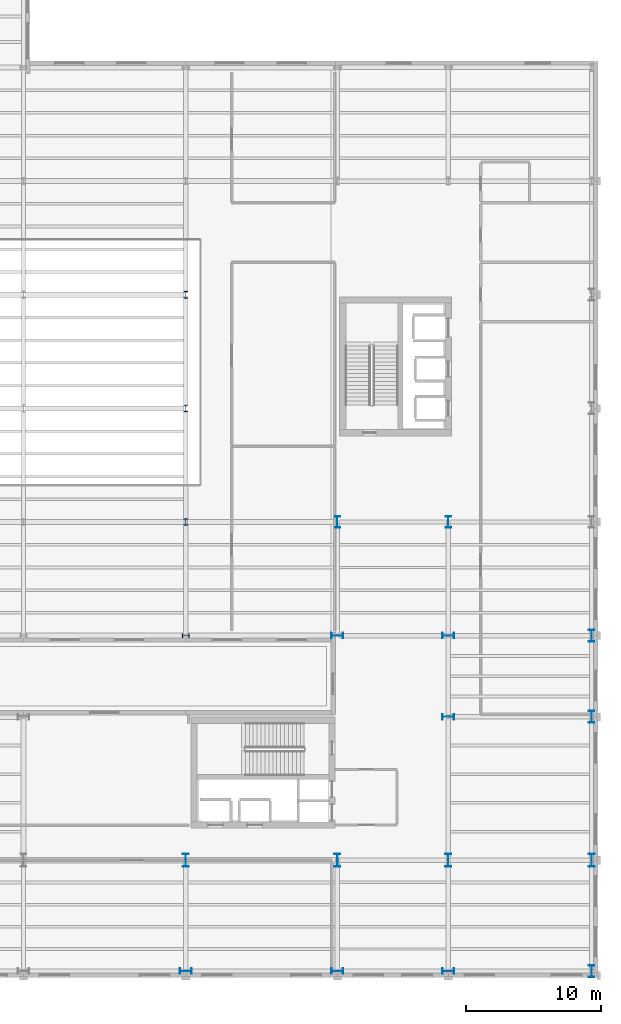
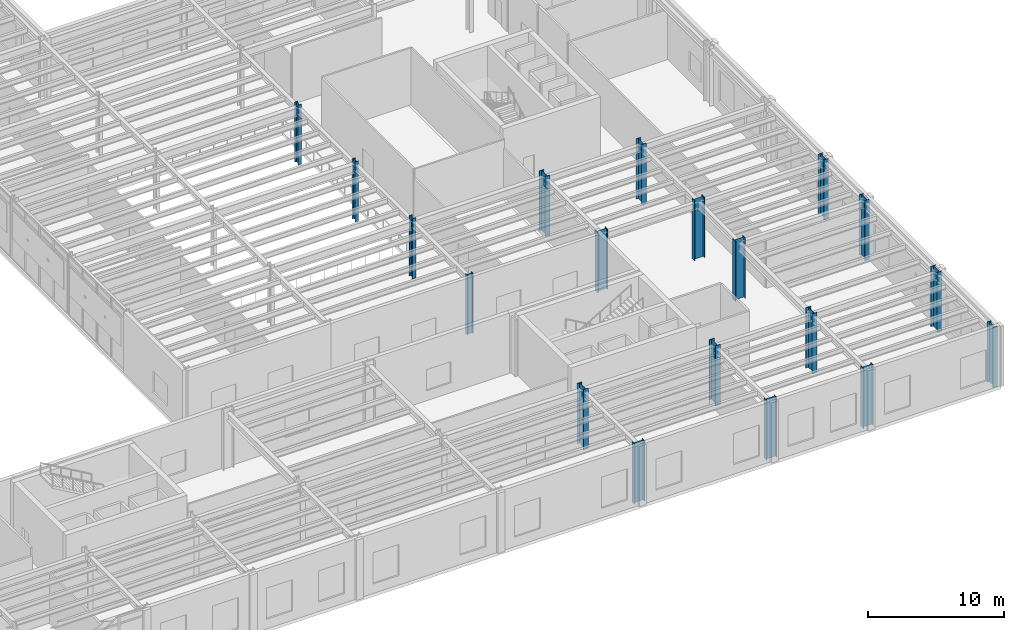
# One storey, part 15 of 98: 19 columns.
"""IFC4 building model written with IfcOpenShell, lengths in metres."""

import ifcopenshell
import ifcopenshell.guid

model = None  # the IFC model being written
_history = None  # IfcOwnerHistory: only IFC2X3 demands one
_inside = {}  # id of a spatial element -> (the spatial element, [elements in it])
_under = {}  # id of a project, library or spatial element -> (it, [spatial elements below it])
_declared = {}  # id of a project -> (the project, [libraries it declares])
_typed = {}  # id of a type object -> (the type object, [elements of that type])
_made_of = {}  # id of a material, layer set ... -> (it, [elements and type objects made of it])


def new_model(schema):
    """Start an empty IFC model of exactly this schema.

    Asked for "IFC4X3", IfcOpenShell would pick the latest addendum, in which some entities
    have other attributes; the version numbers below select the first issue.
    IFC2X3 requires an IfcOwnerHistory on every rooted entity: one is made here for all.
    """
    global model, _history
    if schema == "IFC4X3":
        model = ifcopenshell.file(schema_version=(4, 3, 0, 0))
    else:
        model = ifcopenshell.file(schema=schema)
    _inside.clear()
    _under.clear()
    _declared.clear()
    _typed.clear()
    _made_of.clear()
    _history = None
    if model.schema == "IFC2X3":
        org = make("IfcOrganization", Name="unknown")
        user = make(
            "IfcPersonAndOrganization",
            ThePerson=make("IfcPerson", FamilyName="unknown"),
            TheOrganization=org,
        )
        app = make(
            "IfcApplication",
            ApplicationDeveloper=org,
            Version="unknown",
            ApplicationFullName="unknown",
            ApplicationIdentifier="unknown",
        )
        _history = make(
            "IfcOwnerHistory",
            OwningUser=user,
            OwningApplication=app,
            ChangeAction="ADDED",
            CreationDate=0,
        )
    return model


def make(cls, **values):
    """One entity of the class cls with the attributes given. An attribute that is None is left unset."""
    return model.create_entity(
        cls, **{name: value for name, value in values.items() if value is not None}
    )


def rooted(cls, **values):
    """An entity with a GlobalId (a new one), such as an element, a storey or a relation."""
    return make(cls, GlobalId=ifcopenshell.guid.new(), OwnerHistory=_history, **values)


def si_unit(unit_type, name, prefix=None):
    """IfcSIUnit, for example si_unit("LENGTHUNIT", "METRE", prefix="MILLI")."""
    return make("IfcSIUnit", UnitType=unit_type, Prefix=prefix, Name=name)


def assignment(units):
    """IfcUnitAssignment: the units of a project."""
    return None if units is None else make("IfcUnitAssignment", Units=units)


def point(xyz):
    """IfcCartesianPoint."""
    return None if xyz is None else make("IfcCartesianPoint", Coordinates=xyz)


def direction(xyz):
    """IfcDirection."""
    return None if xyz is None else make("IfcDirection", DirectionRatios=xyz)


def frame(location, z_axis=None, x_axis=None):
    """IfcAxis2Placement3D, a coordinate frame: its origin and axes. An axis left out is left unset."""
    return make(
        "IfcAxis2Placement3D",
        Location=point(location),
        Axis=direction(z_axis),
        RefDirection=direction(x_axis),
    )


def frame_2d(location, x_axis=None):
    """IfcAxis2Placement2D, a coordinate frame in the plane: its origin and x axis."""
    return make(
        "IfcAxis2Placement2D", Location=point(location), RefDirection=direction(x_axis)
    )


def origin():
    """The frame at (0, 0, 0) with its axes left unset."""
    return frame((0.0, 0.0, 0.0))


def origin_2d():
    """The frame at (0, 0) in the plane with its x axis left unset."""
    return frame_2d((0.0, 0.0))


def place(relative_to, where):
    """IfcLocalPlacement: puts the frame where relative to a parent placement (None: the world)."""
    return make(
        "IfcLocalPlacement", PlacementRelTo=relative_to, RelativePlacement=where
    )


def context(
    kind, dimensions, precision=None, world=None, true_north=None, identifier=None
):
    """IfcGeometricRepresentationContext, for example the 3D "Model" context."""
    return make(
        "IfcGeometricRepresentationContext",
        ContextIdentifier=identifier,
        ContextType=kind,
        CoordinateSpaceDimension=dimensions,
        Precision=precision,
        WorldCoordinateSystem=world,
        TrueNorth=true_north,
    )


def subcontext(parent, identifier, kind, view, scale=None):
    """IfcGeometricRepresentationSubContext, for example "Body" below "Model"."""
    return make(
        "IfcGeometricRepresentationSubContext",
        ContextIdentifier=identifier,
        ContextType=kind,
        ParentContext=parent,
        TargetScale=scale,
        TargetView=view,
    )


def project(units=None, contexts=None):
    """IfcProject with its units and contexts."""
    return rooted(
        "IfcProject",
        Name="project",
        RepresentationContexts=contexts,
        UnitsInContext=assignment(units),
    )


def spatial(cls, under=None, at=None, **own):
    """A site, building, storey or space (cls), placed at a placement, below another one or the project."""
    s = rooted(cls, ObjectPlacement=at, **own)
    if under is not None:
        _under.setdefault(under.id(), (under, []))[1].append(s)
    return s


def profile(cls, at=None, kind="AREA", **sizes):
    """A parametric profile (cls). Its sizes go by their IFC names, for example OverallWidth=200.0."""
    return make(cls, ProfileType=kind, Position=at, **sizes)


def i_section(**sizes):
    """IfcIShapeProfileDef."""
    return profile("IfcIShapeProfileDef", **sizes)


def extrude(swept, where, along, depth):
    """IfcExtrudedAreaSolid: the profile swept, set in the frame where, extruded along a direction by depth."""
    return make(
        "IfcExtrudedAreaSolid",
        SweptArea=swept,
        Position=where,
        ExtrudedDirection=direction(along),
        Depth=depth,
    )


def shape(context_of_items, identifier, shape_type, items):
    """IfcShapeRepresentation: the items that make up one representation, for example the "Body"."""
    return make(
        "IfcShapeRepresentation",
        ContextOfItems=context_of_items,
        RepresentationIdentifier=identifier,
        RepresentationType=shape_type,
        Items=items,
    )


def material(Name=None, Category=None):
    """IfcMaterial."""
    return make("IfcMaterial", Name=Name, Category=Category)


def material_profile(
    of_material, cross_section, Name=None, Category=None, Priority=None
):
    """IfcMaterialProfile: a cross section and its material."""
    return make(
        "IfcMaterialProfile",
        Name=Name,
        Material=of_material,
        Profile=cross_section,
        Priority=Priority,
        Category=Category,
    )


def profile_set(profiles, Name=None, composite=None):
    """IfcMaterialProfileSet."""
    return make(
        "IfcMaterialProfileSet",
        Name=Name,
        MaterialProfiles=profiles,
        CompositeProfile=composite,
    )


def made_of(thing, what):
    """Note that an element or type object is made of a material, layer set ...; save() writes the relation."""
    if what is not None:
        _made_of.setdefault(what.id(), (what, []))[1].append(thing)
    return thing


def type_object(cls, material=None, **own):
    """A type object (cls), such as IfcWallType, which elements share."""
    return made_of(rooted(cls, **own), material)


def element(
    cls,
    number,
    at=None,
    inside=None,
    cuts=None,
    type_object=None,
    material=None,
    context=None,
    identifier="Body",
    shape_type=None,
    held_by="IfcProductDefinitionShape",
    body=None,
    shapes=None,
    **own,
):
    """One element of the class cls, such as IfcWall. Its Tag is "e" and its number.

    at: its placement. inside: the storey or other place that contains it. cuts: it is an
    opening in that element (IfcRelVoidsElement). A single representation is given by context,
    identifier, shape_type and body (its items); several are given by shapes. held_by: the class
    of the entity that holds the representations. save() writes the other relations.
    """
    e = rooted(cls, Tag="e%d" % number, ObjectPlacement=at, **own)
    if body is not None:
        shapes = [shape(context, identifier, shape_type, body)]
    if shapes is not None:
        e.Representation = make(held_by, Representations=shapes)
    if inside is not None:
        _inside.setdefault(inside.id(), (inside, []))[1].append(e)
    if cuts is not None:
        rooted(
            "IfcRelVoidsElement", RelatingBuildingElement=cuts, RelatedOpeningElement=e
        )
    if type_object is not None:
        _typed.setdefault(type_object.id(), (type_object, []))[1].append(e)
    return made_of(e, material)


def aggregate(whole, parts):
    """IfcRelAggregates: a whole, such as a stair, and the parts it consists of."""
    return rooted("IfcRelAggregates", RelatingObject=whole, RelatedObjects=parts)


def save(model, path):
    """Write the relations noted so far, then the file.

    IfcRelAggregates (storeys below a building ...), IfcRelContainedInSpatialStructure (elements
    in a storey), IfcRelDefinesByType, IfcRelAssociatesMaterial and IfcRelDeclares: one each for
    every whole, place, type object, material and project.
    """
    for whole, parts in _under.values():
        aggregate(whole, parts)
    for where, things in _inside.values():
        rooted(
            "IfcRelContainedInSpatialStructure",
            RelatedElements=things,
            RelatingStructure=where,
        )
    for kind, things in _typed.values():
        rooted("IfcRelDefinesByType", RelatedObjects=things, RelatingType=kind)
    for what, things in _made_of.values():
        rooted("IfcRelAssociatesMaterial", RelatedObjects=things, RelatingMaterial=what)
    for by, libraries in _declared.values():
        rooted("IfcRelDeclares", RelatingContext=by, RelatedDefinitions=libraries)
    model.write(path)


model = new_model("IFC4")

# Units and contexts
model_context = context("Model", 3, precision=1e-05, world=origin(), true_north=direction((0.0, 1.0)))
body_context = subcontext(model_context, "Body", "Model", "MODEL_VIEW")
ifc_project = project(units=[si_unit("LENGTHUNIT", "METRE"), si_unit("AREAUNIT", "SQUARE_METRE"), si_unit("VOLUMEUNIT", "CUBIC_METRE"), si_unit("PLANEANGLEUNIT", "RADIAN"), si_unit("MASSUNIT", "GRAM", prefix="KILO")], contexts=[model_context])

# Site, building, storey
site_placement = place(None, origin())
site = spatial("IfcSite", under=ifc_project, at=site_placement, CompositionType="ELEMENT")
building_placement = place(site_placement, origin())
building = spatial("IfcBuilding", under=site, at=building_placement, Name="Sollismere Congress Hotel", CompositionType="ELEMENT")
storey_placement = place(building_placement, frame((0.0, 0.0, 5.39990234375)))
storey = spatial("IfcBuildingStorey", under=building, at=storey_placement, Name="L01", CompositionType="ELEMENT", Elevation=5.39990234375)

# Columns
ifc_material = material(Name="Steel ASTM A992 Grade 50", Category="steel")
ifc_material_profile_1 = material_profile(ifc_material, i_section(OverallWidth=0.283935546875, OverallDepth=0.4951171875, WebThickness=0.0185546875, FlangeThickness=0.033447265625, at=origin_2d()), Name="W18X143")
ifc_profile_set_1 = profile_set([ifc_material_profile_1], Name="Steel ASTM A992 Grade 50")
column_type_1 = type_object("IfcColumnType", Name="COL-W18", PredefinedType="COLUMN", material=ifc_profile_set_1)
for number, where, z_axis, x_axis, name in (
    (1, (136.0, 24.800048828125, 0.0), (0.0, 0.0, 1.0), (0.0, 1.0, 0.0), "Column CL-L01-755"),
    (2, (136.0, 33.199951171875, 0.0), (0.0, 0.0, 1.0), (1.0, 0.0, 0.0), "Column CL-L01-758"),
    (3, (136.0, 41.60009765625, 0.0), (0.0, 0.0, 1.0), (1.0, 0.0, 0.0), "Column CL-L01-762"),
    (4, (136.0, 50.0, 0.0), (0.0, 0.0, 1.0), (1.0, 0.0, 0.0), "Column CL-L01-766"),
):
    element("IfcColumn", number, at=place(storey_placement, frame(where, z_axis=z_axis, x_axis=x_axis)), inside=storey, type_object=column_type_1, Name=name, PredefinedType="COLUMN", context=body_context, shape_type="SweptSolid", body=[
        extrude(i_section(OverallWidth=0.283935546875, OverallDepth=0.4951171875, WebThickness=0.0185546875, FlangeThickness=0.033447265625, at=origin_2d()), origin(), (0.0, 0.0, 1.0), 5.400146484375),
    ])
ifc_material_profile_2 = material_profile(ifc_material, i_section(OverallWidth=0.404052734375, OverallDepth=0.868896484375, WebThickness=0.02099609375, FlangeThickness=0.03564453125, at=origin_2d()), Name="W33X241")
ifc_profile_set_2 = profile_set([ifc_material_profile_2], Name="Steel ASTM A992 Grade 50")
column_type_2 = type_object("IfcColumnType", Name="COL-W33", PredefinedType="COLUMN", material=ifc_profile_set_2)
for number, where, z_axis, x_axis, name in (
    (5, (136.0, 0.0, 0.0), (0.0, 0.0, 1.0), (0.0, 1.0, 0.0), "Column CL-L01-729"),
    (6, (147.199951171875, 0.0, 0.0), (0.0, 0.0, 1.0), (0.0, 1.0, 0.0), "Column CL-L01-782"),
    (7, (147.199951171875, 24.800048828125, 0.0), (0.0, 0.0, 1.0), (0.0, 1.0, 0.0), "Column CL-L01-808"),
    (8, (147.199951171875, 33.199951171875, 0.0), (0.0, 0.0, 1.0), (1.0, 0.0, 0.0), "Column CL-L01-821"),
    (9, (155.39990234375, 0.0, 0.0), (0.0, 0.0, 1.0), (0.0, 1.0, 0.0), "Column CL-L01-857"),
    (10, (155.39990234375, 18.800048828125, 0.0), (0.0, 0.0, 1.0), (0.0, 1.0, 0.0), "Column CL-L01-883"),
    (11, (155.39990234375, 24.800048828125, 0.0), (0.0, 0.0, 1.0), (0.0, 1.0, 0.0), "Column CL-L01-896"),
    (12, (155.39990234375, 33.199951171875, 0.0), (0.0, 0.0, 1.0), (1.0, 0.0, 0.0), "Column CL-L01-909"),
    (13, (166.0, 0.0, 0.0), (0.0, 0.0, 1.0), (1.0, 0.0, 0.0), "Column CL-L01-945"),
    (14, (166.0, 18.800048828125, 0.0), (0.0, 0.0, 1.0), (1.0, 0.0, 0.0), "Column CL-L01-971"),
    (15, (166.0, 24.800048828125, 0.0), (0.0, 0.0, 1.0), (1.0, 0.0, 0.0), "Column CL-L01-984"),
):
    element("IfcColumn", number, at=place(storey_placement, frame(where, z_axis=z_axis, x_axis=x_axis)), inside=storey, type_object=column_type_2, Name=name, PredefinedType="COLUMN", context=body_context, shape_type="SweptSolid", body=[
        extrude(i_section(OverallWidth=0.404052734375, OverallDepth=0.868896484375, WebThickness=0.02099609375, FlangeThickness=0.03564453125, at=origin_2d()), origin(), (0.0, 0.0, 1.0), 5.400146484375),
    ])
ifc_material_profile_3 = material_profile(ifc_material, i_section(OverallWidth=0.424072265625, OverallDepth=0.93994140625, WebThickness=0.02392578125, FlangeThickness=0.042724609375, at=origin_2d()), Name="W36X302")
ifc_profile_set_3 = profile_set([ifc_material_profile_3], Name="Steel ASTM A992 Grade 50")
column_type_3 = type_object("IfcColumnType", Name="COL-W36", PredefinedType="COLUMN", material=ifc_profile_set_3)
for number, where, z_axis, x_axis, name in (
    (16, (136.0, 8.199951171875, 0.0), (0.0, 0.0, 1.0), (1.0, 0.0, 0.0), "Column CL-L01-742"),
    (17, (147.199951171875, 8.199951171875, 0.0), (0.0, 0.0, 1.0), (1.0, 0.0, 0.0), "Column CL-L01-795"),
    (18, (155.39990234375, 8.199951171875, 0.0), (0.0, 0.0, 1.0), (1.0, 0.0, 0.0), "Column CL-L01-870"),
    (19, (166.0, 8.199951171875, 0.0), (0.0, 0.0, 1.0), (1.0, 0.0, 0.0), "Column CL-L01-958"),
):
    element("IfcColumn", number, at=place(storey_placement, frame(where, z_axis=z_axis, x_axis=x_axis)), inside=storey, type_object=column_type_3, Name=name, PredefinedType="COLUMN", context=body_context, shape_type="SweptSolid", body=[
        extrude(i_section(OverallWidth=0.424072265625, OverallDepth=0.93994140625, WebThickness=0.02392578125, FlangeThickness=0.042724609375, at=origin_2d()), origin(), (0.0, 0.0, 1.0), 5.400146484375),
    ])

save(model, "model.ifc")
